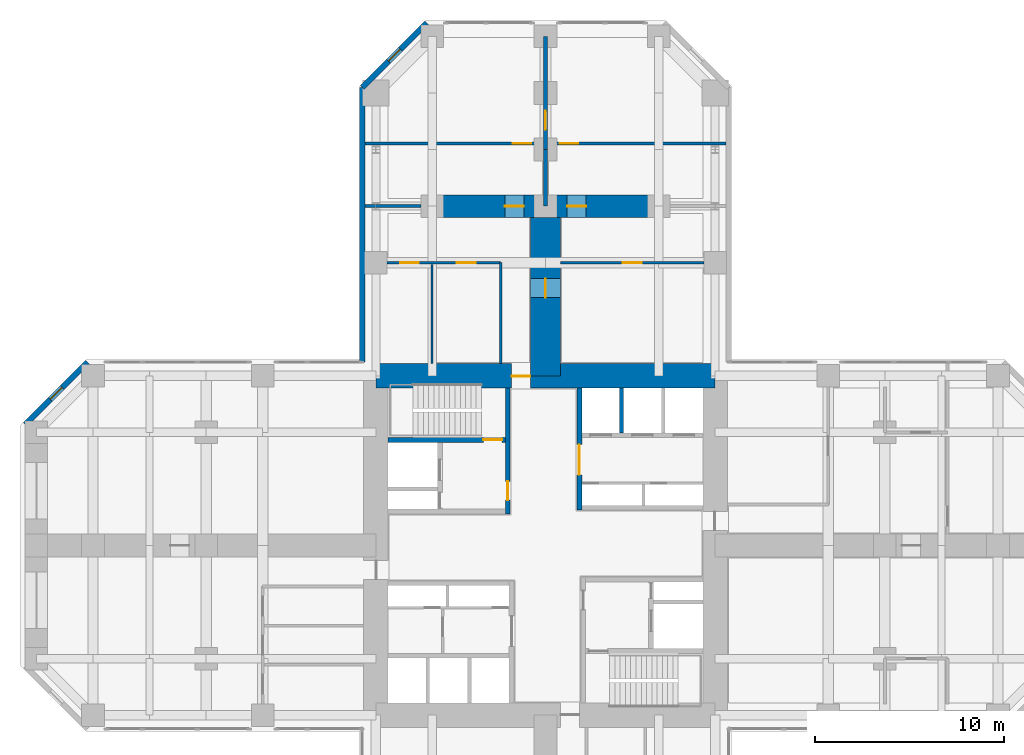
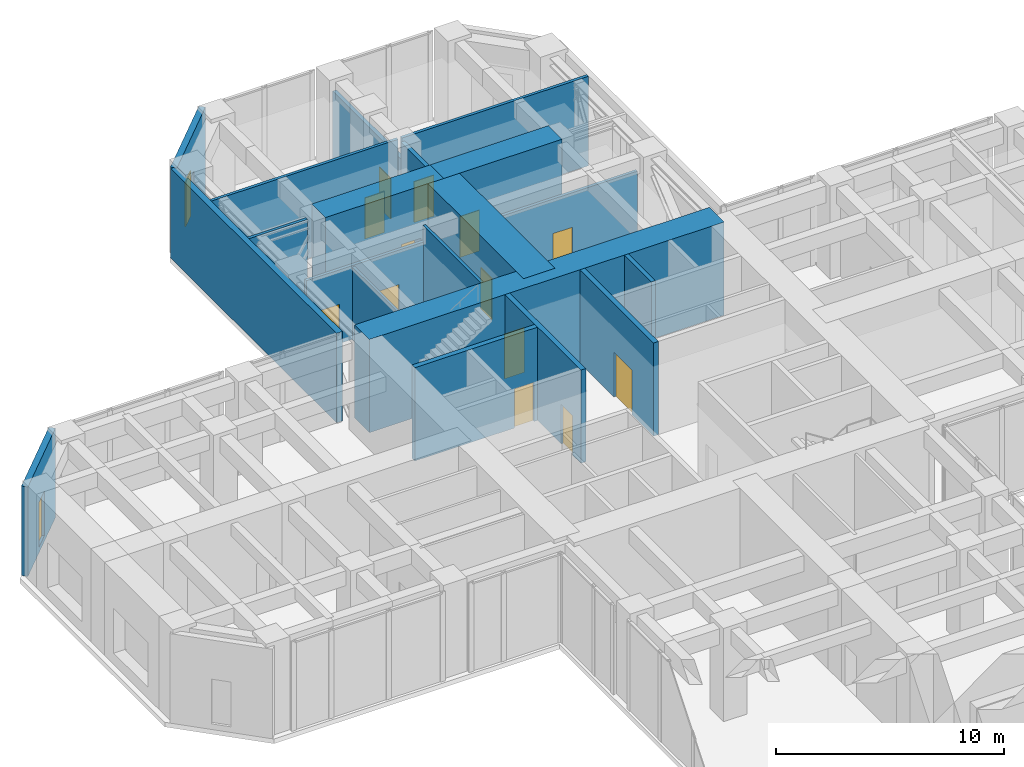
# One storey, part 9 of 11: 20 walls, 13 doors, 2 windows, 15 openings.
"""IFC4 building model written with IfcOpenShell, lengths in metres."""

from ifc_helpers import new_model, si_unit, direction, frame, frame_2d, origin, place, context, subcontext, project, spatial, rectangle, hollow_rectangle, extrude, material, layer, layer_set, constituent, constituent_set, type_object, element, fill, save


model = new_model("IFC4")

# Units and contexts
model_context = context("Model", 3, precision=1e-05, world=origin(), true_north=direction((0.0, 1.0)))
body_context = subcontext(model_context, "Body", "Model", "MODEL_VIEW")
ifc_project = project(units=[si_unit("LENGTHUNIT", "METRE"), si_unit("AREAUNIT", "SQUARE_METRE"), si_unit("VOLUMEUNIT", "CUBIC_METRE"), si_unit("PLANEANGLEUNIT", "RADIAN"), si_unit("MASSUNIT", "GRAM", prefix="KILO")], contexts=[model_context])

# Site, building, storey
site_placement = place(None, origin())
site = spatial("IfcSite", under=ifc_project, at=site_placement, CompositionType="ELEMENT")
building_placement = place(site_placement, origin())
building = spatial("IfcBuilding", under=site, at=building_placement, Name="Torre Cruceta", CompositionType="ELEMENT")
storey_placement = place(building_placement, frame((0.0, 0.0, 95.5)))
storey = spatial("IfcBuildingStorey", under=building, at=storey_placement, Name="L23", CompositionType="ELEMENT", Elevation=95.5)

# Wall, opening, door
ifc_material_1 = material(Name="Concrete G60 (fck 60 MPa)", Category="concrete")
ifc_layer_1 = layer(ifc_material_1, 0.25)
ifc_layer_set_1 = layer_set([ifc_layer_1], Name="Concrete G60 (fck 60 MPa)")
wall_type_1 = type_object("IfcWallType", Name="CORE INNER WALL 250 G60", PredefinedType="SHEAR", material=ifc_layer_set_1)
wall_1_placement = place(storey_placement, frame((1.800048828125, 1.875, 0.0), z_axis=(0.0, 0.0, 1.0), x_axis=(0.0, 1.0, 0.0)))
wall_1 = element("IfcWall", 1, at=wall_1_placement, inside=storey, type_object=wall_type_1, Name="CW4 L23 NE-CU", PredefinedType="SHEAR", context=body_context, shape_type="SweptSolid", body=[
    extrude(rectangle(XDim=6.47509765625, YDim=0.25, at=frame_2d((3.237548828125, 0.0))), origin(), (0.0, 0.0, 1.0), 5.0),
])
opening_1_placement = place(wall_1_placement, frame((1.875, 0.0, 0.0)))
opening_1 = element("IfcOpeningElement", 2, at=opening_1_placement, cuts=wall_1, Name="Opening D8", PredefinedType="OPENING", context=body_context, shape_type="SweptSolid", body=[
    extrude(rectangle(XDim=1.60009765625, YDim=2.39990234375, at=frame_2d((0.800048828125, 1.199951171875))), frame((0.0, 0.135009765625, 0.0), z_axis=(0.0, -1.0, 0.0), x_axis=(1.0, 0.0, 0.0)), (0.0, 0.0, 1.0), 0.27001953125),
])
ifc_material_2 = material(Name="Steel DX51D", Category="steel")
ifc_constituent_1 = constituent(ifc_material_2, Name="Leaf and frame")
ifc_material_3 = material(Name="Polyester powder coating", Category="paint")
ifc_constituent_2 = constituent(ifc_material_3, Name="Finish")
ifc_material_4 = material(Name="Fire-resisting glass", Category="glass")
ifc_constituent_3 = constituent(ifc_material_4, Name="Vision panel")
ifc_constituent_set_1 = constituent_set(constituents=[ifc_constituent_1, ifc_constituent_2, ifc_constituent_3], Name="Steel fire door with vision panels")
door_type_1 = type_object("IfcDoorType", Name="LIFT LOBBY DOUBLE DOOR 1600X2400", OperationType="DOUBLE_DOOR_DOUBLE_SWING", PredefinedType="DOOR", material=ifc_constituent_set_1)
door_1_placement = place(opening_1_placement, origin())
door_1 = element("IfcDoor", 3, at=door_1_placement, inside=storey, type_object=door_type_1, Name="D8 L23 NE-LOBBY", OperationType="DOUBLE_DOOR_DOUBLE_SWING", OverallHeight=2.39990234375, OverallWidth=1.60009765625, PredefinedType="DOOR", context=body_context, shape_type="SweptSolid", body=[
    extrude(rectangle(XDim=1.60009765625, YDim=2.39990234375, at=frame_2d((0.800048828125, 1.199951171875))), frame((0.0, 0.02490234375, 0.0), z_axis=(0.0, -1.0, 0.0), x_axis=(1.0, 0.0, 0.0)), (0.0, 0.0, 1.0), 0.050048828125),
])
fill(opening_1, door_1)

wall_2_placement = place(storey_placement, frame((-2.0, 1.675048828125, 0.0), z_axis=(0.0, 0.0, 1.0), x_axis=(0.0, 1.0, 0.0)))
wall_2 = element("IfcWall", 4, at=wall_2_placement, inside=storey, type_object=wall_type_1, Name="CW4 L23 NW-CU", PredefinedType="SHEAR", context=body_context, shape_type="SweptSolid", body=[
    extrude(rectangle(XDim=6.675048828125, YDim=0.25, at=frame_2d((3.33740234375, 0.0))), origin(), (0.0, 0.0, 1.0), 5.0),
])
opening_2_placement = place(wall_2_placement, frame((0.72509765625, 0.0, 0.0)))
opening_2 = element("IfcOpeningElement", 5, at=opening_2_placement, cuts=wall_2, Name="Opening D3", PredefinedType="OPENING", context=body_context, shape_type="SweptSolid", body=[
    extrude(rectangle(XDim=1.0, YDim=2.10009765625, at=frame_2d((0.5, 1.050048828125))), frame((0.0, 0.135009765625, 0.0), z_axis=(0.0, -1.0, 0.0), x_axis=(1.0, 0.0, 0.0)), (0.0, 0.0, 1.0), 0.27001953125),
])
ifc_material_5 = material(Name="Steel DX51D", Category="steel")
ifc_constituent_4 = constituent(ifc_material_5, Name="Leaf and frame")
ifc_material_6 = material(Name="Polyester powder coating", Category="paint")
ifc_constituent_5 = constituent(ifc_material_6, Name="Finish")
ifc_constituent_set_2 = constituent_set(constituents=[ifc_constituent_4, ifc_constituent_5], Name="Steel fire door")
door_type_2 = type_object("IfcDoorType", Name="FIRE DOOR 1000X2100", OperationType="SINGLE_SWING_LEFT", PredefinedType="DOOR", material=ifc_constituent_set_2)
door_2_placement = place(opening_2_placement, origin())
door_2 = element("IfcDoor", 6, at=door_2_placement, inside=storey, type_object=door_type_2, Name="D3 L23 NW-LOBBY", OperationType="SINGLE_SWING_LEFT", OverallHeight=2.10009765625, OverallWidth=1.0, PredefinedType="DOOR", context=body_context, shape_type="SweptSolid", body=[
    extrude(rectangle(XDim=1.0, YDim=2.10009765625, at=frame_2d((0.5, 1.050048828125))), frame((0.0, 0.02490234375, 0.0), z_axis=(0.0, -1.0, 0.0), x_axis=(1.0, 0.0, 0.0)), (0.0, 0.0, 1.0), 0.050048828125),
])
fill(opening_2, door_2)

wall_3_placement = place(storey_placement, frame((-2.125, 5.60009765625, 0.0), z_axis=(0.0, 0.0, 1.0), x_axis=(-1.0, 0.0, 0.0)))
wall_3 = element("IfcWall", 7, at=wall_3_placement, inside=storey, type_object=wall_type_1, Name="CW4 L23 NW-SV", PredefinedType="SHEAR", context=body_context, shape_type="SweptSolid", body=[
    extrude(rectangle(XDim=6.22509765625, YDim=0.25, at=frame_2d((3.112548828125, 0.0))), origin(), (0.0, 0.0, 1.0), 5.0),
])
opening_3_placement = place(wall_3_placement, frame((0.175048828125, 0.0, 0.0)))
opening_3 = element("IfcOpeningElement", 8, at=opening_3_placement, cuts=wall_3, Name="Opening D3", PredefinedType="OPENING", context=body_context, shape_type="SweptSolid", body=[
    extrude(rectangle(XDim=1.0, YDim=2.10009765625, at=frame_2d((0.5, 1.050048828125))), frame((0.0, 0.135009765625, 0.0), z_axis=(0.0, -1.0, 0.0), x_axis=(1.0, 0.0, 0.0)), (0.0, 0.0, 1.0), 0.27001953125),
])
door_3_placement = place(opening_3_placement, frame((1.0, 0.0, 0.0), z_axis=(0.0, 0.0, 1.0), x_axis=(-1.0, 0.0, 0.0)))
door_3 = element("IfcDoor", 9, at=door_3_placement, inside=storey, type_object=door_type_2, Name="D3 L23 NW-STAIR", OperationType="SINGLE_SWING_RIGHT", OverallHeight=2.10009765625, OverallWidth=1.0, PredefinedType="DOOR", context=body_context, shape_type="SweptSolid", body=[
    extrude(rectangle(XDim=1.0, YDim=2.10009765625, at=frame_2d((0.5, 1.050048828125))), frame((0.0, 0.025146484375, 0.0), z_axis=(0.0, -1.0, 0.0), x_axis=(1.0, 0.0, 0.0)), (0.0, 0.0, 1.0), 0.050048828125),
])
fill(opening_3, door_3)

ifc_material_7 = material(Name="Concrete G60 (fck 60 MPa)", Category="concrete")
ifc_layer_2 = layer(ifc_material_7, 1.300048828125)
ifc_layer_set_2 = layer_set([ifc_layer_2], Name="Concrete G60 (fck 60 MPa)")
wall_type_2 = type_object("IfcWallType", Name="CORE WALL 1300 G60", PredefinedType="SHEAR", material=ifc_layer_set_2)
wall_4_placement = place(storey_placement, frame((9.0, 9.0, 0.0), z_axis=(0.0, 0.0, 1.0), x_axis=(-1.0, 0.0, 0.0)))
wall_4 = element("IfcWall", 10, at=wall_4_placement, inside=storey, type_object=wall_type_2, Name="CW1 L23 CW-N", PredefinedType="SHEAR", context=body_context, shape_type="SweptSolid", body=[
    extrude(rectangle(XDim=18.0, YDim=1.300048828125, at=frame_2d((9.0, 0.0))), origin(), (0.0, 0.0, 1.0), 5.0),
])
opening_4_placement = place(wall_4_placement, frame((9.800048828125, 0.0, 0.0)))
opening_4 = element("IfcOpeningElement", 11, at=opening_4_placement, cuts=wall_4, Name="Opening D4", PredefinedType="OPENING", context=body_context, shape_type="SweptSolid", body=[
    extrude(rectangle(XDim=1.0, YDim=2.39990234375, at=frame_2d((0.5, 1.199951171875))), frame((0.0, 0.659912109375, 0.0), z_axis=(0.0, -1.0, 0.0), x_axis=(1.0, 0.0, 0.0)), (0.0, 0.0, 1.0), 1.320068359375),
])
ifc_material_8 = material(Name="Steel DX51D", Category="steel")
ifc_constituent_6 = constituent(ifc_material_8, Name="Leaf and frame")
ifc_material_9 = material(Name="Polyester powder coating", Category="paint")
ifc_constituent_7 = constituent(ifc_material_9, Name="Finish")
ifc_constituent_set_3 = constituent_set(constituents=[ifc_constituent_6, ifc_constituent_7], Name="Steel fire door")
door_type_3 = type_object("IfcDoorType", Name="CORE ARM DOOR 1000X2400", OperationType="SINGLE_SWING_RIGHT", PredefinedType="DOOR", material=ifc_constituent_set_3)
door_4_placement = place(opening_4_placement, frame((1.0, 0.0, 0.0), z_axis=(0.0, 0.0, 1.0), x_axis=(-1.0, 0.0, 0.0)))
door_4 = element("IfcDoor", 12, at=door_4_placement, inside=storey, type_object=door_type_3, Name="D4 L23 CW-N", OperationType="SINGLE_SWING_RIGHT", OverallHeight=2.39990234375, OverallWidth=1.0, PredefinedType="DOOR", context=body_context, shape_type="SweptSolid", body=[
    extrude(rectangle(XDim=1.0, YDim=2.39990234375, at=frame_2d((0.5, 1.199951171875))), frame((0.0, -0.005126953125, 0.0), z_axis=(0.0, -1.0, 0.0), x_axis=(1.0, 0.0, 0.0)), (0.0, 0.0, 1.0), 0.050048828125),
])
fill(opening_4, door_4)

# Wall
ifc_material_10 = material(Name="Concrete G25 (fck 25 MPa)", Category="concrete")
ifc_layer_3 = layer(ifc_material_10, 0.199951171875)
ifc_layer_set_3 = layer_set([ifc_layer_3], Name="Concrete G25 (fck 25 MPa)")
wall_type_3 = type_object("IfcWallType", Name="CORRIDOR WALL 200", PredefinedType="SOLIDWALL", material=ifc_layer_set_3)
wall_5_placement = place(storey_placement, frame((0.0, 18.0, 0.0), z_axis=(0.0, 0.0, 1.0), x_axis=(0.0, 1.0, 0.0)))
element("IfcWall", 13, at=wall_5_placement, inside=storey, type_object=wall_type_3, Name="PT3 spine line L23 N", PredefinedType="SOLIDWALL", context=body_context, shape_type="SweptSolid", body=[
    extrude(rectangle(XDim=3.0, YDim=0.199951171875, at=frame_2d((1.5, 0.0))), origin(), (0.0, 0.0, 1.0), 4.800048828125),
])

# Wall, opening, door
wall_6_placement = place(storey_placement, frame((0.0, 21.0, 0.0), z_axis=(0.0, 0.0, 1.0), x_axis=(0.0, 1.0, 0.0)))
wall_6 = element("IfcWall", 14, at=wall_6_placement, inside=storey, type_object=wall_type_3, Name="PT3 spine line L23 N 2", PredefinedType="SOLIDWALL", context=body_context, shape_type="SweptSolid", body=[
    extrude(rectangle(XDim=6.0, YDim=0.199951171875, at=frame_2d((3.0, 0.0))), origin(), (0.0, 0.0, 1.0), 3.89990234375),
])
opening_5_placement = place(wall_6_placement, frame((1.050048828125, 0.0, 0.0)))
opening_5 = element("IfcOpeningElement", 15, at=opening_5_placement, cuts=wall_6, Name="Opening D14", PredefinedType="OPENING", context=body_context, shape_type="SweptSolid", body=[
    extrude(rectangle(XDim=1.0, YDim=2.199951171875, at=frame_2d((0.5, 1.10009765625))), frame((0.0, 0.10986328125, 0.0), z_axis=(0.0, -1.0, 0.0), x_axis=(1.0, 0.0, 0.0)), (0.0, 0.0, 1.0), 0.219970703125),
])
ifc_material_11 = material(Name="Steel DX51D", Category="steel")
ifc_constituent_8 = constituent(ifc_material_11, Name="Leaf and frame")
ifc_material_12 = material(Name="Polyester powder coating", Category="paint")
ifc_constituent_9 = constituent(ifc_material_12, Name="Finish")
ifc_material_13 = material(Name="Fire-resisting glass", Category="glass")
ifc_constituent_10 = constituent(ifc_material_13, Name="Vision panel")
ifc_constituent_set_4 = constituent_set(constituents=[ifc_constituent_8, ifc_constituent_9, ifc_constituent_10], Name="Steel fire door with vision panel")
door_type_4 = type_object("IfcDoorType", Name="FIRE DOOR VISION PANEL 1000X2200", OperationType="SINGLE_SWING_RIGHT", PredefinedType="DOOR", material=ifc_constituent_set_4)
door_5_placement = place(opening_5_placement, origin())
door_5 = element("IfcDoor", 16, at=door_5_placement, inside=storey, type_object=door_type_4, Name="D14 L23-N-SP2", OperationType="SINGLE_SWING_LEFT", OverallHeight=2.199951171875, OverallWidth=1.0, PredefinedType="DOOR", context=body_context, shape_type="SweptSolid", body=[
    extrude(rectangle(XDim=1.0, YDim=2.199951171875, at=frame_2d((0.5, 1.10009765625))), frame((0.0, 0.02490234375, 0.0), z_axis=(0.0, -1.0, 0.0), x_axis=(1.0, 0.0, 0.0)), (0.0, 0.0, 1.0), 0.050048828125),
])
fill(opening_5, door_5)

ifc_material_14 = material(Name="Concrete G60 (fck 60 MPa)", Category="concrete")
ifc_layer_4 = layer(ifc_material_14, 1.199951171875)
ifc_layer_set_4 = layer_set([ifc_layer_4], Name="Concrete G60 (fck 60 MPa)")
wall_type_4 = type_object("IfcWallType", Name="CROSS WALL 1200 G60", PredefinedType="SHEAR", material=ifc_layer_set_4)
wall_7_placement = place(storey_placement, frame((0.0, 18.0, 0.0), z_axis=(0.0, 0.0, 1.0), x_axis=(-1.0, 0.0, 0.0)))
wall_7 = element("IfcWall", 17, at=wall_7_placement, inside=storey, type_object=wall_type_4, Name="XW1 cross wall L23 N L", PredefinedType="SHEAR", context=body_context, shape_type="SweptSolid", body=[
    extrude(rectangle(XDim=6.0, YDim=1.199951171875, at=frame_2d((3.0, 0.0))), origin(), (0.0, 0.0, 1.0), 5.0),
])
opening_6_placement = place(wall_7_placement, frame((1.14990234375, 0.0, 0.0)))
opening_6 = element("IfcOpeningElement", 18, at=opening_6_placement, cuts=wall_7, Name="Opening D14", PredefinedType="OPENING", context=body_context, shape_type="SweptSolid", body=[
    extrude(rectangle(XDim=1.0, YDim=2.199951171875, at=frame_2d((0.5, 1.10009765625))), frame((0.0, 0.60986328125, 0.0), z_axis=(0.0, -1.0, 0.0), x_axis=(1.0, 0.0, 0.0)), (0.0, 0.0, 1.0), 1.219970703125),
])
door_6_placement = place(opening_6_placement, frame((1.0, 0.0, 0.0), z_axis=(0.0, 0.0, 1.0), x_axis=(-1.0, 0.0, 0.0)))
door_6 = element("IfcDoor", 19, at=door_6_placement, inside=storey, type_object=door_type_4, Name="D14 L23-N-XW-L", OperationType="SINGLE_SWING_RIGHT", OverallHeight=2.199951171875, OverallWidth=1.0, PredefinedType="DOOR", context=body_context, shape_type="SweptSolid", body=[
    extrude(rectangle(XDim=1.0, YDim=2.199951171875, at=frame_2d((0.5, 1.10009765625))), frame((0.0, 0.025146484375, 0.0), z_axis=(0.0, -1.0, 0.0), x_axis=(1.0, 0.0, 0.0)), (0.0, 0.0, 1.0), 0.050048828125),
])
fill(opening_6, door_6)

wall_8_placement = place(storey_placement, frame((0.0, 18.0, 0.0), z_axis=(0.0, 0.0, 1.0), x_axis=(1.0, 0.0, 0.0)))
wall_8 = element("IfcWall", 20, at=wall_8_placement, inside=storey, type_object=wall_type_4, Name="XW1 cross wall L23 N R", PredefinedType="SHEAR", context=body_context, shape_type="SweptSolid", body=[
    extrude(rectangle(XDim=6.0, YDim=1.199951171875, at=frame_2d((3.0, 0.0))), origin(), (0.0, 0.0, 1.0), 5.0),
])
opening_7_placement = place(wall_8_placement, frame((1.14990234375, 0.0, 0.0)))
opening_7 = element("IfcOpeningElement", 21, at=opening_7_placement, cuts=wall_8, Name="Opening D14", PredefinedType="OPENING", context=body_context, shape_type="SweptSolid", body=[
    extrude(rectangle(XDim=1.0, YDim=2.199951171875, at=frame_2d((0.5, 1.10009765625))), frame((0.0, 0.60986328125, 0.0), z_axis=(0.0, -1.0, 0.0), x_axis=(1.0, 0.0, 0.0)), (0.0, 0.0, 1.0), 1.219970703125),
])
door_7_placement = place(opening_7_placement, frame((1.0, 0.0, 0.0), z_axis=(0.0, 0.0, 1.0), x_axis=(-1.0, 0.0, 0.0)))
door_7 = element("IfcDoor", 22, at=door_7_placement, inside=storey, type_object=door_type_4, Name="D14 L23-N-XW-R", OperationType="SINGLE_SWING_RIGHT", OverallHeight=2.199951171875, OverallWidth=1.0, PredefinedType="DOOR", context=body_context, shape_type="SweptSolid", body=[
    extrude(rectangle(XDim=1.0, YDim=2.199951171875, at=frame_2d((0.5, 1.10009765625))), frame((0.0, 0.025146484375, 0.0), z_axis=(0.0, -1.0, 0.0), x_axis=(1.0, 0.0, 0.0)), (0.0, 0.0, 1.0), 0.050048828125),
])
fill(opening_7, door_7)

# Wall, opening, window
ifc_material_15 = material(Name="Concrete G30 (fck 30 MPa)", Category="concrete")
ifc_layer_5 = layer(ifc_material_15, 0.300048828125)
ifc_layer_set_5 = layer_set([ifc_layer_5], Name="Concrete G30 (fck 30 MPa)")
wall_type_5 = type_object("IfcWallType", Name="EXPOSED CONCRETE FACADE WALL 300", PredefinedType="SOLIDWALL", material=ifc_layer_set_5)
wall_9_placement = place(storey_placement, frame((-6.29833984375, 27.719970703125, 0.0), z_axis=(0.0, 0.0, 1.0), x_axis=(-0.707106781187, -0.707106781187, 0.0)))
wall_9 = element("IfcWall", 23, at=wall_9_placement, inside=storey, type_object=wall_type_5, Name="EW1 facade wall L23 N chamfer 08", PredefinedType="SOLIDWALL", context=body_context, shape_type="SweptSolid", body=[
    extrude(rectangle(XDim=4.8388671875, YDim=0.300048828125, at=frame_2d((2.41943359375, 0.0))), origin(), (0.0, 0.0, 1.0), 4.800048828125),
])
opening_8_placement = place(wall_9_placement, frame((1.969482421875, 0.0, 0.300048828125)))
opening_8 = element("IfcOpeningElement", 24, at=opening_8_placement, cuts=wall_9, Name="Opening WN5", PredefinedType="OPENING", context=body_context, shape_type="SweptSolid", body=[
    extrude(rectangle(XDim=0.89990234375, YDim=2.39990234375, at=frame_2d((0.449951171875, 1.199951171875))), frame((0.0, 0.159912109375, 0.0), z_axis=(0.0, -1.0, 0.0), x_axis=(1.0, 0.0, 0.0)), (0.0, 0.0, 1.0), 0.320068359375),
])
ifc_material_16 = material(Name="Aluminium window frame", Category="aluminium")
ifc_constituent_11 = constituent(ifc_material_16, Name="Frame")
ifc_material_17 = material(Name="Laminated insulating glass unit, low-iron clear", Category="glass")
ifc_constituent_12 = constituent(ifc_material_17, Name="Glazing")
ifc_constituent_set_5 = constituent_set(constituents=[ifc_constituent_11, ifc_constituent_12], Name="Aluminium window")
window_type = type_object("IfcWindowType", Name="CHAMFER SLOT WINDOW 900X2400", PartitioningType="SINGLE_PANEL", PredefinedType="WINDOW", material=ifc_constituent_set_5)
window_1_placement = place(opening_8_placement, origin())
window_1 = element("IfcWindow", 25, at=window_1_placement, inside=storey, type_object=window_type, Name="WN5 L23 N 1", OverallHeight=2.39990234375, OverallWidth=0.89990234375, PartitioningType="SINGLE_PANEL", PredefinedType="WINDOW", context=body_context, shape_type="SweptSolid", body=[
    extrude(hollow_rectangle(XDim=0.89990234375, YDim=2.39990234375, WallThickness=0.06005859375, at=frame_2d((0.449951171875, 1.199951171875))), frame((0.0, 0.030029296875, 0.0), z_axis=(0.0, -1.0, 0.0), x_axis=(1.0, 0.0, 0.0)), (0.0, 0.0, 1.0), 0.06005859375),
    extrude(rectangle(XDim=0.77880859375, YDim=2.27880859375, at=frame_2d((0.449951171875, 1.199951171875))), frame((0.0, 0.030029296875, 0.0), z_axis=(0.0, -1.0, 0.0), x_axis=(1.0, 0.0, 0.0)), (0.0, 0.0, 1.0), 0.06005859375),
])
fill(opening_8, window_1)

# Wall
wall_10_placement = place(storey_placement, frame((-9.719970703125, 24.29833984375, 0.0), z_axis=(0.0, 0.0, 1.0), x_axis=(0.0, -1.0, 0.0)))
element("IfcWall", 26, at=wall_10_placement, inside=storey, type_object=wall_type_5, Name="EW1 facade wall L23 N side 09", PredefinedType="SOLIDWALL", context=body_context, shape_type="SweptSolid", body=[
    extrude(rectangle(XDim=14.578369140625, YDim=0.300048828125, at=frame_2d((7.2890625, 0.0))), origin(), (0.0, 0.0, 1.0), 4.800048828125),
])

# Wall, opening, window
wall_11_placement = place(storey_placement, frame((-24.29833984375, 9.719970703125, 0.0), z_axis=(0.0, 0.0, 1.0), x_axis=(-0.707106781187, -0.707106781187, 0.0)))
wall_11 = element("IfcWall", 27, at=wall_11_placement, inside=storey, type_object=wall_type_5, Name="EW1 facade wall L23 W chamfer 11", PredefinedType="SOLIDWALL", context=body_context, shape_type="SweptSolid", body=[
    extrude(rectangle(XDim=4.66943359375, YDim=0.300048828125, at=frame_2d((2.334716796875, 0.0))), origin(), (0.0, 0.0, 1.0), 4.800048828125),
])
opening_9_placement = place(wall_11_placement, frame((1.884765625, 0.0, 0.300048828125)))
opening_9 = element("IfcOpeningElement", 28, at=opening_9_placement, cuts=wall_11, Name="Opening WN5", PredefinedType="OPENING", context=body_context, shape_type="SweptSolid", body=[
    extrude(rectangle(XDim=0.89990234375, YDim=2.39990234375, at=frame_2d((0.449951171875, 1.199951171875))), frame((0.0, 0.159912109375, 0.0), z_axis=(0.0, -1.0, 0.0), x_axis=(1.0, 0.0, 0.0)), (0.0, 0.0, 1.0), 0.320068359375),
])
window_2_placement = place(opening_9_placement, origin())
window_2 = element("IfcWindow", 29, at=window_2_placement, inside=storey, type_object=window_type, Name="WN5 L23 W 1", OverallHeight=2.39990234375, OverallWidth=0.89990234375, PartitioningType="SINGLE_PANEL", PredefinedType="WINDOW", context=body_context, shape_type="SweptSolid", body=[
    extrude(hollow_rectangle(XDim=0.89990234375, YDim=2.39990234375, WallThickness=0.06005859375, at=frame_2d((0.449951171875, 1.199951171875))), frame((0.0, 0.030029296875, 0.0), z_axis=(0.0, -1.0, 0.0), x_axis=(1.0, 0.0, 0.0)), (0.0, 0.0, 1.0), 0.06005859375),
    extrude(rectangle(XDim=0.77880859375, YDim=2.27880859375, at=frame_2d((0.449951171875, 1.199951171875))), frame((0.0, 0.030029296875, 0.0), z_axis=(0.0, -1.0, 0.0), x_axis=(1.0, 0.0, 0.0)), (0.0, 0.0, 1.0), 0.06005859375),
])
fill(opening_9, window_2)

# Wall
ifc_material_18 = material(Name="Concrete G35 (fck 35 MPa)", Category="concrete")
ifc_layer_6 = layer(ifc_material_18, 0.199951171875)
ifc_layer_set_6 = layer_set([ifc_layer_6], Name="Concrete G35 (fck 35 MPa)")
wall_type_6 = type_object("IfcWallType", Name="LIFT SHAFT WALL 200", PredefinedType="PARTITIONING", material=ifc_layer_set_6)
wall_12_placement = place(storey_placement, frame((4.033447265625, 5.97509765625, 0.0), z_axis=(0.0, 0.0, 1.0), x_axis=(0.0, 1.0, 0.0)))
element("IfcWall", 30, at=wall_12_placement, inside=storey, type_object=wall_type_6, Name="SW1 L23 NE-LS1", PredefinedType="PARTITIONING", context=body_context, shape_type="SweptSolid", body=[
    extrude(rectangle(XDim=2.375, YDim=0.199951171875, at=frame_2d((1.1875, 0.0))), origin(), (0.0, 0.0, 1.0), 5.0),
])

# Wall, openings, doors
ifc_material_19 = material(Name="Plasterboard on steel studs", Category="steel")
ifc_layer_7 = layer(ifc_material_19, 0.14990234375)
ifc_layer_set_7 = layer_set([ifc_layer_7], Name="Plasterboard on steel studs")
wall_type_7 = type_object("IfcWallType", Name="PARTITION 150", PredefinedType="PARTITIONING", material=ifc_layer_set_7)
wall_13_placement = place(storey_placement, frame((-2.375, 15.0, 0.0), z_axis=(0.0, 0.0, 1.0), x_axis=(-1.0, 0.0, 0.0)))
wall_13 = element("IfcWall", 31, at=wall_13_placement, inside=storey, type_object=wall_type_7, Name="PT1 L23-N-BFL", PredefinedType="PARTITIONING", context=body_context, shape_type="SweptSolid", body=[
    extrude(rectangle(XDim=6.02490234375, YDim=0.14990234375, at=frame_2d((3.012451171875, 0.0))), origin(), (0.0, 0.0, 1.0), 3.949951171875),
])
opening_10_placement = place(wall_13_placement, frame((1.323486328125, 0.0, 0.0)))
opening_10 = element("IfcOpeningElement", 32, at=opening_10_placement, cuts=wall_13, Name="Opening D3", PredefinedType="OPENING", context=body_context, shape_type="SweptSolid", body=[
    extrude(rectangle(XDim=1.0, YDim=2.10009765625, at=frame_2d((0.5, 1.050048828125))), frame((0.0, 0.0849609375, 0.0), z_axis=(0.0, -1.0, 0.0), x_axis=(1.0, 0.0, 0.0)), (0.0, 0.0, 1.0), 0.169921875),
])
opening_11_placement = place(wall_13_placement, frame((4.3359375, 0.0, 0.0)))
opening_11 = element("IfcOpeningElement", 33, at=opening_11_placement, cuts=wall_13, Name="Opening D3", PredefinedType="OPENING", context=body_context, shape_type="SweptSolid", body=[
    extrude(rectangle(XDim=1.0, YDim=2.10009765625, at=frame_2d((0.5, 1.050048828125))), frame((0.0, 0.0849609375, 0.0), z_axis=(0.0, -1.0, 0.0), x_axis=(1.0, 0.0, 0.0)), (0.0, 0.0, 1.0), 0.169921875),
])
door_8_placement = place(opening_10_placement, origin())
door_8 = element("IfcDoor", 34, at=door_8_placement, inside=storey, type_object=door_type_2, Name="D3 L23-N-BFL-D1", OperationType="SINGLE_SWING_LEFT", OverallHeight=2.10009765625, OverallWidth=1.0, PredefinedType="DOOR", context=body_context, shape_type="SweptSolid", body=[
    extrude(rectangle(XDim=1.0, YDim=2.10009765625, at=frame_2d((0.5, 1.050048828125))), frame((0.0, 0.02490234375, 0.0), z_axis=(0.0, -1.0, 0.0), x_axis=(1.0, 0.0, 0.0)), (0.0, 0.0, 1.0), 0.050048828125),
])
fill(opening_10, door_8)
door_9_placement = place(opening_11_placement, origin())
door_9 = element("IfcDoor", 35, at=door_9_placement, inside=storey, type_object=door_type_2, Name="D3 L23-N-BFL-D2", OperationType="SINGLE_SWING_LEFT", OverallHeight=2.10009765625, OverallWidth=1.0, PredefinedType="DOOR", context=body_context, shape_type="SweptSolid", body=[
    extrude(rectangle(XDim=1.0, YDim=2.10009765625, at=frame_2d((0.5, 1.050048828125))), frame((0.0, 0.02490234375, 0.0), z_axis=(0.0, -1.0, 0.0), x_axis=(1.0, 0.0, 0.0)), (0.0, 0.0, 1.0), 0.050048828125),
])
fill(opening_11, door_9)

# Wall
wall_14_placement = place(storey_placement, frame((-2.375, 9.64990234375, 0.0), z_axis=(0.0, 0.0, 1.0), x_axis=(0.0, 1.0, 0.0)))
element("IfcWall", 36, at=wall_14_placement, inside=storey, type_object=wall_type_7, Name="PT1 L23-N-BSL", PredefinedType="PARTITIONING", context=body_context, shape_type="SweptSolid", body=[
    extrude(rectangle(XDim=5.35009765625, YDim=0.14990234375, at=frame_2d((2.675048828125, 0.0))), origin(), (0.0, 0.0, 1.0), 4.800048828125),
])

# Wall, opening, door
wall_15_placement = place(storey_placement, frame((8.39990234375, 15.0, 0.0), z_axis=(0.0, 0.0, 1.0), x_axis=(-1.0, 0.0, 0.0)))
wall_15 = element("IfcWall", 37, at=wall_15_placement, inside=storey, type_object=wall_type_7, Name="PT1 L23-N-BFR", PredefinedType="PARTITIONING", context=body_context, shape_type="SweptSolid", body=[
    extrude(rectangle(XDim=7.599853515625, YDim=0.14990234375, at=frame_2d((3.7998046875, 0.0))), origin(), (0.0, 0.0, 1.0), 3.949951171875),
])
opening_12_placement = place(wall_15_placement, frame((3.300048828125, 0.0, 0.0)))
opening_12 = element("IfcOpeningElement", 38, at=opening_12_placement, cuts=wall_15, Name="Opening D3", PredefinedType="OPENING", context=body_context, shape_type="SweptSolid", body=[
    extrude(rectangle(XDim=1.0, YDim=2.10009765625, at=frame_2d((0.5, 1.050048828125))), frame((0.0, 0.0849609375, 0.0), z_axis=(0.0, -1.0, 0.0), x_axis=(1.0, 0.0, 0.0)), (0.0, 0.0, 1.0), 0.169921875),
])
door_10_placement = place(opening_12_placement, frame((1.0, 0.0, 0.0), z_axis=(0.0, 0.0, 1.0), x_axis=(-1.0, 0.0, 0.0)))
door_10 = element("IfcDoor", 39, at=door_10_placement, inside=storey, type_object=door_type_2, Name="D3 L23-N-BFR-D1", OperationType="SINGLE_SWING_LEFT", OverallHeight=2.10009765625, OverallWidth=1.0, PredefinedType="DOOR", context=body_context, shape_type="SweptSolid", body=[
    extrude(rectangle(XDim=1.0, YDim=2.10009765625, at=frame_2d((0.5, 1.050048828125))), frame((0.0, 0.025146484375, 0.0), z_axis=(0.0, -1.0, 0.0), x_axis=(1.0, 0.0, 0.0)), (0.0, 0.0, 1.0), 0.050048828125),
])
fill(opening_12, door_10)

wall_16_placement = place(storey_placement, frame((-0.10009765625, 21.320068359375, 0.0), z_axis=(0.0, 0.0, 1.0), x_axis=(-1.0, 0.0, 0.0)))
wall_16 = element("IfcWall", 40, at=wall_16_placement, inside=storey, type_object=wall_type_7, Name="PT1 L23-N-TWL", PredefinedType="PARTITIONING", context=body_context, shape_type="SweptSolid", body=[
    extrude(rectangle(XDim=9.469970703125, YDim=0.14990234375, at=frame_2d((4.73486328125, 0.0))), origin(), (0.0, 0.0, 1.0), 4.800048828125),
])
opening_13_placement = place(wall_16_placement, frame((0.64990234375, 0.0, 0.0)))
opening_13 = element("IfcOpeningElement", 41, at=opening_13_placement, cuts=wall_16, Name="Opening D14", PredefinedType="OPENING", context=body_context, shape_type="SweptSolid", body=[
    extrude(rectangle(XDim=1.0, YDim=2.199951171875, at=frame_2d((0.5, 1.10009765625))), frame((0.0, 0.0849609375, 0.0), z_axis=(0.0, -1.0, 0.0), x_axis=(1.0, 0.0, 0.0)), (0.0, 0.0, 1.0), 0.169921875),
])
door_11_placement = place(opening_13_placement, origin())
door_11 = element("IfcDoor", 42, at=door_11_placement, inside=storey, type_object=door_type_4, Name="D14 L23-N-TWL-D1", OperationType="SINGLE_SWING_LEFT", OverallHeight=2.199951171875, OverallWidth=1.0, PredefinedType="DOOR", context=body_context, shape_type="SweptSolid", body=[
    extrude(rectangle(XDim=1.0, YDim=2.199951171875, at=frame_2d((0.5, 1.10009765625))), frame((0.0, 0.02490234375, 0.0), z_axis=(0.0, -1.0, 0.0), x_axis=(1.0, 0.0, 0.0)), (0.0, 0.0, 1.0), 0.050048828125),
])
fill(opening_13, door_11)

wall_17_placement = place(storey_placement, frame((9.570068359375, 21.320068359375, 0.0), z_axis=(0.0, 0.0, 1.0), x_axis=(-1.0, 0.0, 0.0)))
wall_17 = element("IfcWall", 43, at=wall_17_placement, inside=storey, type_object=wall_type_7, Name="PT1 L23-N-TWR", PredefinedType="PARTITIONING", context=body_context, shape_type="SweptSolid", body=[
    extrude(rectangle(XDim=9.469970703125, YDim=0.14990234375, at=frame_2d((4.73486328125, 0.0))), origin(), (0.0, 0.0, 1.0), 4.800048828125),
])
opening_14_placement = place(wall_17_placement, frame((7.820068359375, 0.0, 0.0)))
opening_14 = element("IfcOpeningElement", 44, at=opening_14_placement, cuts=wall_17, Name="Opening D14", PredefinedType="OPENING", context=body_context, shape_type="SweptSolid", body=[
    extrude(rectangle(XDim=1.0, YDim=2.199951171875, at=frame_2d((0.5, 1.10009765625))), frame((0.0, 0.0849609375, 0.0), z_axis=(0.0, -1.0, 0.0), x_axis=(1.0, 0.0, 0.0)), (0.0, 0.0, 1.0), 0.169921875),
])
door_12_placement = place(opening_14_placement, origin())
door_12 = element("IfcDoor", 45, at=door_12_placement, inside=storey, type_object=door_type_4, Name="D14 L23-N-TWR-D1", OperationType="SINGLE_SWING_RIGHT", OverallHeight=2.199951171875, OverallWidth=1.0, PredefinedType="DOOR", context=body_context, shape_type="SweptSolid", body=[
    extrude(rectangle(XDim=1.0, YDim=2.199951171875, at=frame_2d((0.5, 1.10009765625))), frame((0.0, 0.02490234375, 0.0), z_axis=(0.0, -1.0, 0.0), x_axis=(1.0, 0.0, 0.0)), (0.0, 0.0, 1.0), 0.050048828125),
])
fill(opening_14, door_12)

# Wall
wall_18_placement = place(storey_placement, frame((-6.60009765625, 18.0, 0.0), z_axis=(0.0, 0.0, 1.0), x_axis=(-1.0, 0.0, 0.0)))
element("IfcWall", 46, at=wall_18_placement, inside=storey, type_object=wall_type_7, Name="PT1 L23-N-BXL1", PredefinedType="PARTITIONING", context=body_context, shape_type="SweptSolid", body=[
    extrude(rectangle(XDim=2.969970703125, YDim=0.14990234375, at=frame_2d((1.48486328125, 0.0))), origin(), (0.0, 0.0, 1.0), 4.800048828125),
])

# Wall, opening, door
ifc_material_20 = material(Name="Concrete G60 (fck 60 MPa)", Category="concrete")
ifc_layer_8 = layer(ifc_material_20, 1.60009765625)
ifc_layer_set_8 = layer_set([ifc_layer_8], Name="Concrete G60 (fck 60 MPa)")
wall_type_8 = type_object("IfcWallType", Name="SPINE WALL 1600 G60", PredefinedType="SHEAR", material=ifc_layer_set_8)
wall_19_placement = place(storey_placement, frame((0.0, 9.0, 0.0), z_axis=(0.0, 0.0, 1.0), x_axis=(0.0, 1.0, 0.0)))
wall_19 = element("IfcWall", 47, at=wall_19_placement, inside=storey, type_object=wall_type_8, Name="SW2 spine wall L23 N", PredefinedType="SHEAR", context=body_context, shape_type="SweptSolid", body=[
    extrude(rectangle(XDim=9.0, YDim=1.60009765625, at=frame_2d((4.5, 0.0))), origin(), (0.0, 0.0, 1.0), 5.0),
])
opening_15_placement = place(wall_19_placement, frame((4.14990234375, 0.0, 0.0)))
opening_15 = element("IfcOpeningElement", 48, at=opening_15_placement, cuts=wall_19, Name="Opening D14", PredefinedType="OPENING", context=body_context, shape_type="SweptSolid", body=[
    extrude(rectangle(XDim=1.0, YDim=2.199951171875, at=frame_2d((0.5, 1.10009765625))), frame((0.0, 0.81005859375, 0.0), z_axis=(0.0, -1.0, 0.0), x_axis=(1.0, 0.0, 0.0)), (0.0, 0.0, 1.0), 1.6201171875),
])
door_13_placement = place(opening_15_placement, origin())
door_13 = element("IfcDoor", 49, at=door_13_placement, inside=storey, type_object=door_type_4, Name="D14 L23-N-SP1", OperationType="SINGLE_SWING_RIGHT", OverallHeight=2.199951171875, OverallWidth=1.0, PredefinedType="DOOR", context=body_context, shape_type="SweptSolid", body=[
    extrude(rectangle(XDim=1.0, YDim=2.199951171875, at=frame_2d((0.5, 1.10009765625))), frame((0.0, 0.02490234375, 0.0), z_axis=(0.0, -1.0, 0.0), x_axis=(1.0, 0.0, 0.0)), (0.0, 0.0, 1.0), 0.050048828125),
])
fill(opening_15, door_13)

# Wall
ifc_material_21 = material(Name="Plasterboard on steel studs", Category="steel")
ifc_layer_9 = layer(ifc_material_21, 0.1201171875)
ifc_layer_set_9 = layer_set([ifc_layer_9], Name="Plasterboard on steel studs")
wall_type_9 = type_object("IfcWallType", Name="WC PARTITION 120", PredefinedType="PLUMBINGWALL", material=ifc_layer_set_9)
wall_20_placement = place(storey_placement, frame((-6.021728515625, 9.64990234375, 0.0), z_axis=(0.0, 0.0, 1.0), x_axis=(0.0, 1.0, 0.0)))
element("IfcWall", 50, at=wall_20_placement, inside=storey, type_object=wall_type_9, Name="PT5 L23-N-BDL1", PredefinedType="PLUMBINGWALL", context=body_context, shape_type="SweptSolid", body=[
    extrude(rectangle(XDim=5.25, YDim=0.1201171875, at=frame_2d((2.625, 0.0))), origin(), (0.0, 0.0, 1.0), 3.89990234375),
])

save(model, "model.ifc")
